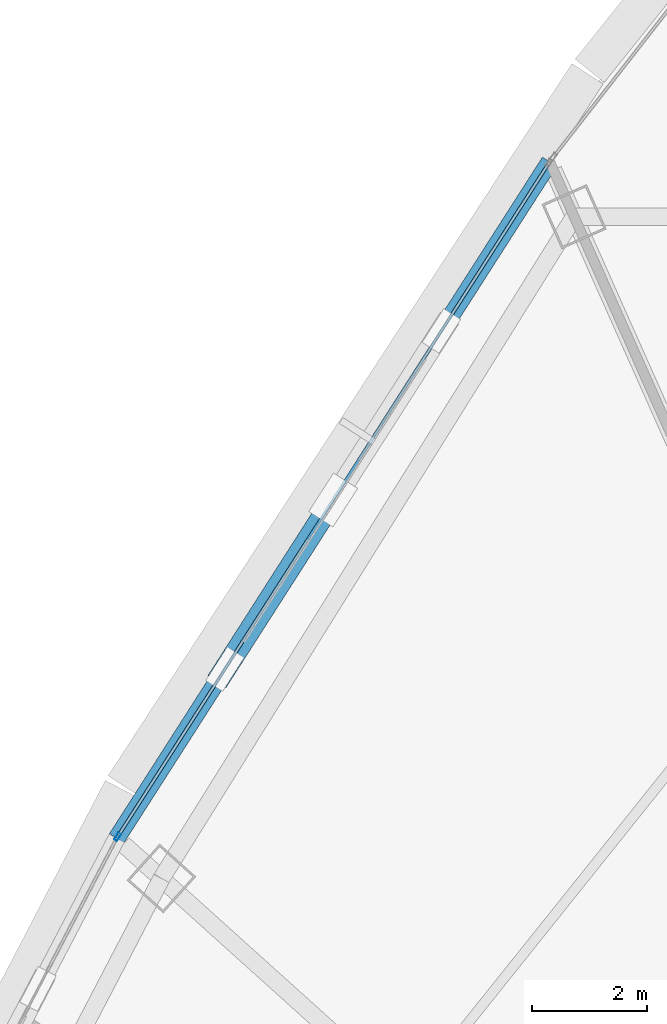
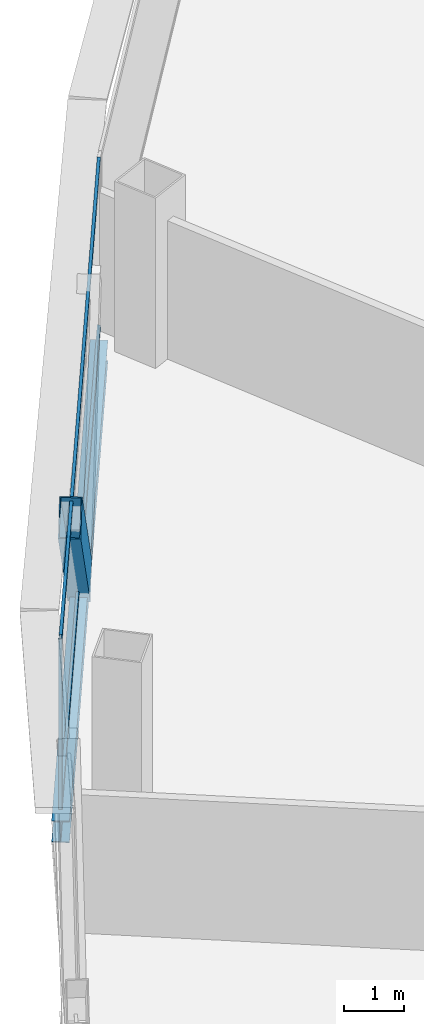
# One storey, part 16 of 36: 4 members, 1 beam, 1 element without a shape of its own.
"""IFC4 building model written with IfcOpenShell, lengths in metres."""

import ifcopenshell
import ifcopenshell.guid

model = None  # the IFC model being written
_history = None  # IfcOwnerHistory: only IFC2X3 demands one
_inside = {}  # id of a spatial element -> (the spatial element, [elements in it])
_under = {}  # id of a project, library or spatial element -> (it, [spatial elements below it])
_declared = {}  # id of a project -> (the project, [libraries it declares])
_typed = {}  # id of a type object -> (the type object, [elements of that type])
_made_of = {}  # id of a material, layer set ... -> (it, [elements and type objects made of it])


def new_model(schema):
    """Start an empty IFC model of exactly this schema.

    Asked for "IFC4X3", IfcOpenShell would pick the latest addendum, in which some entities
    have other attributes; the version numbers below select the first issue.
    IFC2X3 requires an IfcOwnerHistory on every rooted entity: one is made here for all.
    """
    global model, _history
    if schema == "IFC4X3":
        model = ifcopenshell.file(schema_version=(4, 3, 0, 0))
    else:
        model = ifcopenshell.file(schema=schema)
    _inside.clear()
    _under.clear()
    _declared.clear()
    _typed.clear()
    _made_of.clear()
    _history = None
    if model.schema == "IFC2X3":
        org = make("IfcOrganization", Name="unknown")
        user = make(
            "IfcPersonAndOrganization",
            ThePerson=make("IfcPerson", FamilyName="unknown"),
            TheOrganization=org,
        )
        app = make(
            "IfcApplication",
            ApplicationDeveloper=org,
            Version="unknown",
            ApplicationFullName="unknown",
            ApplicationIdentifier="unknown",
        )
        _history = make(
            "IfcOwnerHistory",
            OwningUser=user,
            OwningApplication=app,
            ChangeAction="ADDED",
            CreationDate=0,
        )
    return model


def make(cls, **values):
    """One entity of the class cls with the attributes given. An attribute that is None is left unset."""
    return model.create_entity(
        cls, **{name: value for name, value in values.items() if value is not None}
    )


def rooted(cls, **values):
    """An entity with a GlobalId (a new one), such as an element, a storey or a relation."""
    return make(cls, GlobalId=ifcopenshell.guid.new(), OwnerHistory=_history, **values)


def si_unit(unit_type, name, prefix=None):
    """IfcSIUnit, for example si_unit("LENGTHUNIT", "METRE", prefix="MILLI")."""
    return make("IfcSIUnit", UnitType=unit_type, Prefix=prefix, Name=name)


def assignment(units):
    """IfcUnitAssignment: the units of a project."""
    return None if units is None else make("IfcUnitAssignment", Units=units)


def point(xyz):
    """IfcCartesianPoint."""
    return None if xyz is None else make("IfcCartesianPoint", Coordinates=xyz)


def direction(xyz):
    """IfcDirection."""
    return None if xyz is None else make("IfcDirection", DirectionRatios=xyz)


def frame(location, z_axis=None, x_axis=None):
    """IfcAxis2Placement3D, a coordinate frame: its origin and axes. An axis left out is left unset."""
    return make(
        "IfcAxis2Placement3D",
        Location=point(location),
        Axis=direction(z_axis),
        RefDirection=direction(x_axis),
    )


def frame_2d(location, x_axis=None):
    """IfcAxis2Placement2D, a coordinate frame in the plane: its origin and x axis."""
    return make(
        "IfcAxis2Placement2D", Location=point(location), RefDirection=direction(x_axis)
    )


def origin():
    """The frame at (0, 0, 0) with its axes left unset."""
    return frame((0.0, 0.0, 0.0))


def origin_2d():
    """The frame at (0, 0) in the plane with its x axis left unset."""
    return frame_2d((0.0, 0.0))


def place(relative_to, where):
    """IfcLocalPlacement: puts the frame where relative to a parent placement (None: the world)."""
    return make(
        "IfcLocalPlacement", PlacementRelTo=relative_to, RelativePlacement=where
    )


def context(
    kind, dimensions, precision=None, world=None, true_north=None, identifier=None
):
    """IfcGeometricRepresentationContext, for example the 3D "Model" context."""
    return make(
        "IfcGeometricRepresentationContext",
        ContextIdentifier=identifier,
        ContextType=kind,
        CoordinateSpaceDimension=dimensions,
        Precision=precision,
        WorldCoordinateSystem=world,
        TrueNorth=true_north,
    )


def subcontext(parent, identifier, kind, view, scale=None):
    """IfcGeometricRepresentationSubContext, for example "Body" below "Model"."""
    return make(
        "IfcGeometricRepresentationSubContext",
        ContextIdentifier=identifier,
        ContextType=kind,
        ParentContext=parent,
        TargetScale=scale,
        TargetView=view,
    )


def project(units=None, contexts=None):
    """IfcProject with its units and contexts."""
    return rooted(
        "IfcProject",
        Name="project",
        RepresentationContexts=contexts,
        UnitsInContext=assignment(units),
    )


def spatial(cls, under=None, at=None, **own):
    """A site, building, storey or space (cls), placed at a placement, below another one or the project."""
    s = rooted(cls, ObjectPlacement=at, **own)
    if under is not None:
        _under.setdefault(under.id(), (under, []))[1].append(s)
    return s


def profile(cls, at=None, kind="AREA", **sizes):
    """A parametric profile (cls). Its sizes go by their IFC names, for example OverallWidth=200.0."""
    return make(cls, ProfileType=kind, Position=at, **sizes)


def hollow_rectangle(**sizes):
    """IfcRectangleHollowProfileDef."""
    return profile("IfcRectangleHollowProfileDef", **sizes)


def i_section(**sizes):
    """IfcIShapeProfileDef."""
    return profile("IfcIShapeProfileDef", **sizes)


def extrude(swept, where, along, depth):
    """IfcExtrudedAreaSolid: the profile swept, set in the frame where, extruded along a direction by depth."""
    return make(
        "IfcExtrudedAreaSolid",
        SweptArea=swept,
        Position=where,
        ExtrudedDirection=direction(along),
        Depth=depth,
    )


def shape(context_of_items, identifier, shape_type, items):
    """IfcShapeRepresentation: the items that make up one representation, for example the "Body"."""
    return make(
        "IfcShapeRepresentation",
        ContextOfItems=context_of_items,
        RepresentationIdentifier=identifier,
        RepresentationType=shape_type,
        Items=items,
    )


def source(mapping_origin, context_of_items, identifier, shape_type, items):
    """IfcRepresentationMap: a shape defined once, which mapped items show again and again."""
    return make(
        "IfcRepresentationMap",
        MappingOrigin=mapping_origin,
        MappedRepresentation=shape(context_of_items, identifier, shape_type, items),
    )


def transform(
    local_origin,
    x_axis=None,
    y_axis=None,
    z_axis=None,
    scale=None,
    scale2=None,
    scale3=None,
    uniform=True,
):
    """IfcCartesianTransformationOperator3D, or its non-uniform kind. x_axis, y_axis, z_axis: its Axis1, 2, 3."""
    if uniform:
        return make(
            "IfcCartesianTransformationOperator3D",
            Axis1=direction(x_axis),
            Axis2=direction(y_axis),
            LocalOrigin=point(local_origin),
            Scale=scale,
            Axis3=direction(z_axis),
        )
    return make(
        "IfcCartesianTransformationOperator3DnonUniform",
        Axis1=direction(x_axis),
        Axis2=direction(y_axis),
        LocalOrigin=point(local_origin),
        Scale=scale,
        Axis3=direction(z_axis),
        Scale2=scale2,
        Scale3=scale3,
    )


def mapped(mapping_source, mapping_target):
    """IfcMappedItem: shows the shape of a source again, moved by a transform."""
    return make(
        "IfcMappedItem", MappingSource=mapping_source, MappingTarget=mapping_target
    )


def material(Name=None, Category=None):
    """IfcMaterial."""
    return make("IfcMaterial", Name=Name, Category=Category)


def layer(
    of_material, thickness, ventilated=None, Name=None, Category=None, Priority=None
):
    """IfcMaterialLayer: one layer of a wall or slab, of a material (None: an air gap)."""
    return make(
        "IfcMaterialLayer",
        Material=of_material,
        LayerThickness=thickness,
        IsVentilated=ventilated,
        Name=Name,
        Category=Category,
        Priority=Priority,
    )


def layer_set(layers, Name=None):
    """IfcMaterialLayerSet."""
    return make("IfcMaterialLayerSet", MaterialLayers=layers, LayerSetName=Name)


def material_profile(
    of_material, cross_section, Name=None, Category=None, Priority=None
):
    """IfcMaterialProfile: a cross section and its material."""
    return make(
        "IfcMaterialProfile",
        Name=Name,
        Material=of_material,
        Profile=cross_section,
        Priority=Priority,
        Category=Category,
    )


def profile_set(profiles, Name=None, composite=None):
    """IfcMaterialProfileSet."""
    return make(
        "IfcMaterialProfileSet",
        Name=Name,
        MaterialProfiles=profiles,
        CompositeProfile=composite,
    )


def made_of(thing, what):
    """Note that an element or type object is made of a material, layer set ...; save() writes the relation."""
    if what is not None:
        _made_of.setdefault(what.id(), (what, []))[1].append(thing)
    return thing


def type_object(cls, material=None, **own):
    """A type object (cls), such as IfcWallType, which elements share."""
    return made_of(rooted(cls, **own), material)


def element(
    cls,
    number,
    at=None,
    inside=None,
    cuts=None,
    type_object=None,
    material=None,
    context=None,
    identifier="Body",
    shape_type=None,
    held_by="IfcProductDefinitionShape",
    body=None,
    shapes=None,
    **own,
):
    """One element of the class cls, such as IfcWall. Its Tag is "e" and its number.

    at: its placement. inside: the storey or other place that contains it. cuts: it is an
    opening in that element (IfcRelVoidsElement). A single representation is given by context,
    identifier, shape_type and body (its items); several are given by shapes. held_by: the class
    of the entity that holds the representations. save() writes the other relations.
    """
    e = rooted(cls, Tag="e%d" % number, ObjectPlacement=at, **own)
    if body is not None:
        shapes = [shape(context, identifier, shape_type, body)]
    if shapes is not None:
        e.Representation = make(held_by, Representations=shapes)
    if inside is not None:
        _inside.setdefault(inside.id(), (inside, []))[1].append(e)
    if cuts is not None:
        rooted(
            "IfcRelVoidsElement", RelatingBuildingElement=cuts, RelatedOpeningElement=e
        )
    if type_object is not None:
        _typed.setdefault(type_object.id(), (type_object, []))[1].append(e)
    return made_of(e, material)


def aggregate(whole, parts):
    """IfcRelAggregates: a whole, such as a stair, and the parts it consists of."""
    return rooted("IfcRelAggregates", RelatingObject=whole, RelatedObjects=parts)


def save(model, path):
    """Write the relations noted so far, then the file.

    IfcRelAggregates (storeys below a building ...), IfcRelContainedInSpatialStructure (elements
    in a storey), IfcRelDefinesByType, IfcRelAssociatesMaterial and IfcRelDeclares: one each for
    every whole, place, type object, material and project.
    """
    for whole, parts in _under.values():
        aggregate(whole, parts)
    for where, things in _inside.values():
        rooted(
            "IfcRelContainedInSpatialStructure",
            RelatedElements=things,
            RelatingStructure=where,
        )
    for kind, things in _typed.values():
        rooted("IfcRelDefinesByType", RelatedObjects=things, RelatingType=kind)
    for what, things in _made_of.values():
        rooted("IfcRelAssociatesMaterial", RelatedObjects=things, RelatingMaterial=what)
    for by, libraries in _declared.values():
        rooted("IfcRelDeclares", RelatingContext=by, RelatedDefinitions=libraries)
    model.write(path)


model = new_model("IFC4")

# Units and contexts
model_context = context("Model", 3, precision=1e-05, world=origin(), true_north=direction((0.0, 1.0)))
body_context = subcontext(model_context, "Body", "Model", "MODEL_VIEW")
ifc_project = project(units=[si_unit("LENGTHUNIT", "METRE"), si_unit("AREAUNIT", "SQUARE_METRE"), si_unit("VOLUMEUNIT", "CUBIC_METRE"), si_unit("PLANEANGLEUNIT", "RADIAN"), si_unit("MASSUNIT", "GRAM", prefix="KILO"), si_unit("THERMODYNAMICTEMPERATUREUNIT", "KELVIN"), si_unit("POWERUNIT", "WATT")], contexts=[model_context])

# Site, building, storey
site_placement = place(None, origin())
site = spatial("IfcSite", under=ifc_project, at=site_placement, CompositionType="ELEMENT")
building_placement = place(site_placement, origin())
building = spatial("IfcBuilding", under=site, at=building_placement, Name="Yunzhuo Pagoda Commons", CompositionType="ELEMENT")
storey_placement = place(building_placement, frame((0.0, 0.0, 263.179931640625)))
storey = spatial("IfcBuildingStorey", under=building, at=storey_placement, Name="L66", CompositionType="ELEMENT", Elevation=263.179931640625)

# Beam
ifc_material_1 = material(Name="Structural steel Q355B", Category="steel")
ifc_material_profile_1 = material_profile(ifc_material_1, i_section(OverallWidth=0.300048828125, OverallDepth=0.43994140625, WebThickness=0.010986328125, FlangeThickness=0.01806640625, at=origin_2d()), Name="Structural steel Q355B")
ifc_profile_set_1 = profile_set([ifc_material_profile_1], Name="Structural steel Q355B")
beam_type = type_object("IfcBeamType", Name="B-SP2 Beam HM 440x300x11x18", PredefinedType="BEAM", material=ifc_profile_set_1)
shared_shape_1 = source(origin(), body_context, "Body", "SweptSolid", [
    extrude(i_section(OverallWidth=0.300048828125, OverallDepth=0.43994140625, WebThickness=0.010986328125, FlangeThickness=0.01806640625, at=origin_2d()), origin(), (0.0, 0.0, 1.0), 14.02099609375),
])
beam_placement = place(storey_placement, frame((34.166259765625, 64.77099609375, -0.47998046875), z_axis=(-0.53907296662, -0.842259067425, 0.0), x_axis=(0.842259067425, -0.53907296662, 0.0)))
element("IfcBeam", 1, at=beam_placement, inside=storey, type_object=beam_type, Name="L66 facade edge spandrel beam F3.1", PredefinedType="BEAM", context=body_context, shape_type="MappedRepresentation", body=[
    mapped(shared_shape_1, transform((0.0, 0.0, 0.0), scale=1.0)),
])

# Member
ifc_material_profile_2 = material_profile(ifc_material_1, hollow_rectangle(XDim=0.3798828125, YDim=0.719970703125, WallThickness=0.02001953125, at=origin_2d()), Name="Structural steel Q355B")
ifc_profile_set_2 = profile_set([ifc_material_profile_2], Name="Structural steel Q355B")
member_type_1 = type_object("IfcMemberType", Name="M-DL3 Brace BOX 720x380x20", PredefinedType="BRACE", material=ifc_profile_set_2)
shared_shape_2 = source(origin(), body_context, "Body", "SweptSolid", [
    extrude(hollow_rectangle(XDim=0.3798828125, YDim=0.719970703125, WallThickness=0.02001953125, at=origin_2d()), origin(), (0.0, 0.0, 1.0), 5.118408203125),
])
member_1_placement = place(storey_placement, frame((30.38720703125, 58.866455078125, -0.260009765625), z_axis=(-0.369182488442, -0.576764166698, 0.728729981708), x_axis=(0.842235979724, -0.539109037634, 0.0)))
element("IfcMember", 2, at=member_1_placement, inside=storey, type_object=member_type_1, Name="L66 facade diamond brace F3.1R", PredefinedType="BRACE", context=body_context, shape_type="MappedRepresentation", body=[
    mapped(shared_shape_2, transform((0.0, 0.0, 0.0), scale=1.0)),
])

# Curtain wall, members
ifc_material_2 = material(Name="Anodized aluminium 6063-T6", Category="aluminium")
ifc_layer = layer(ifc_material_2, 0.139892578125)
ifc_layer_set = layer_set([ifc_layer], Name="Anodized aluminium 6063-T6")
curtain_wall_type = type_object("IfcCurtainWallType", Name="CW-HI High-Zone Ribbon Curtain Wall", PredefinedType="NOTDEFINED", material=ifc_layer_set)
curtain_wall_placement = place(storey_placement, origin())
curtain_wall = element("IfcCurtainWall", 3, at=curtain_wall_placement, inside=storey, type_object=curtain_wall_type, Name="L66 curtain wall CW-L66-F3B2", PredefinedType="NOTDEFINED")
ifc_material_profile_3 = material_profile(ifc_material_2, hollow_rectangle(XDim=0.06005859375, YDim=0.139892578125, WallThickness=0.00341796875, at=origin_2d()), Name="Anodized aluminium 6063-T6")
ifc_profile_set_3 = profile_set([ifc_material_profile_3], Name="Anodized aluminium 6063-T6")
member_type_2 = type_object("IfcMemberType", Name="CW-HI-M Mullion RHS 140x60x3.5", PredefinedType="MULLION", material=ifc_profile_set_3)
shared_shape_3 = source(origin(), body_context, "Body", "SweptSolid", [
    extrude(hollow_rectangle(XDim=0.06005859375, YDim=0.139892578125, WallThickness=0.00341796875, at=origin_2d()), origin(), (0.0, 0.0, 1.0), 3.469970703125),
])
member_2_placement = place(storey_placement, frame((26.6240234375, 52.9873046875, 0.0), z_axis=(0.0, 0.0, 1.0), x_axis=(0.842255727545, -0.539078184884, 0.0)))
member_2 = element("IfcMember", 4, at=member_2_placement, type_object=member_type_2, Name="CW mullion 2", PredefinedType="MULLION", context=body_context, shape_type="MappedRepresentation", body=[
    mapped(shared_shape_3, transform((0.0, 0.0, 0.0), scale=1.0)),
])
ifc_material_profile_4 = material_profile(ifc_material_2, hollow_rectangle(XDim=0.054931640625, YDim=0.1201171875, WallThickness=0.00341796875, at=origin_2d()), Name="Anodized aluminium 6063-T6")
ifc_profile_set_4 = profile_set([ifc_material_profile_4], Name="Anodized aluminium 6063-T6")
member_type_3 = type_object("IfcMemberType", Name="CW-HI-T Transom RHS 120x55x3.5", PredefinedType="USERDEFINED", material=ifc_profile_set_4)
shared_shape_4 = source(origin(), body_context, "Body", "SweptSolid", [
    extrude(hollow_rectangle(XDim=0.054931640625, YDim=0.1201171875, WallThickness=0.00341796875, at=origin_2d()), origin(), (0.0, 0.0, 1.0), 13.901123046875),
])
member_3_placement = place(storey_placement, frame((34.134033203125, 64.720458984375, 0.02783203125), z_axis=(-0.539085093496, -0.84225130571, 0.0), x_axis=(0.84225130571, -0.539085093496, 0.0)))
member_3 = element("IfcMember", 5, at=member_3_placement, type_object=member_type_3, Name="CW transom 1.1", ObjectType="TRANSOM", PredefinedType="USERDEFINED", context=body_context, shape_type="MappedRepresentation", body=[
    mapped(shared_shape_4, transform((0.0, 0.0, 0.0), scale=1.0)),
])
member_4_placement = place(storey_placement, frame((34.134033203125, 64.720458984375, 3.442626953125), z_axis=(-0.539085093496, -0.84225130571, 0.0), x_axis=(0.84225130571, -0.539085093496, 0.0)))
member_4 = element("IfcMember", 6, at=member_4_placement, type_object=member_type_3, Name="CW transom 1.2", ObjectType="TRANSOM", PredefinedType="USERDEFINED", context=body_context, shape_type="MappedRepresentation", body=[
    mapped(shared_shape_4, transform((0.0, 0.0, 0.0), scale=1.0)),
])
aggregate(curtain_wall, [member_2, member_3, member_4])

save(model, "model.ifc")
